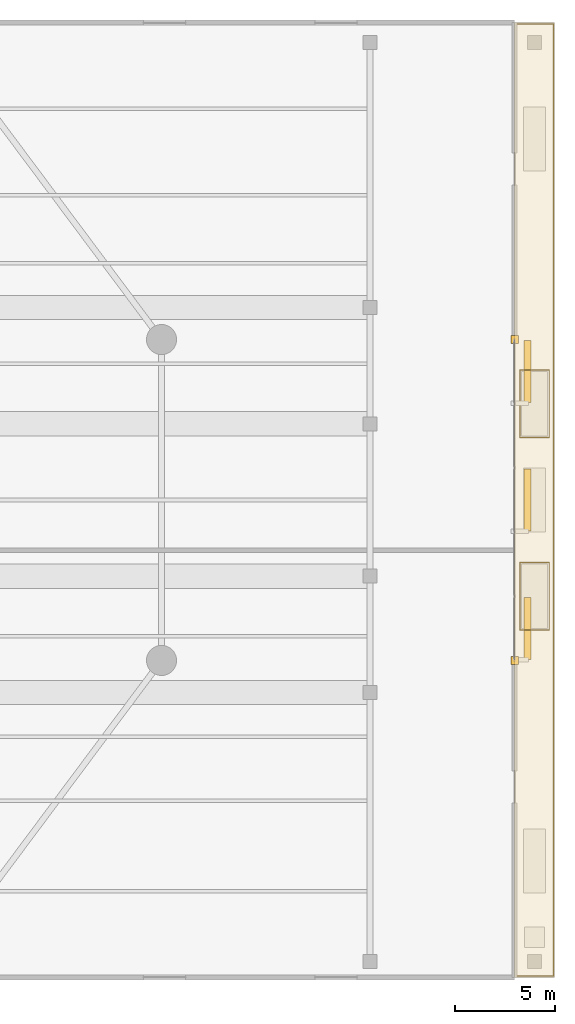
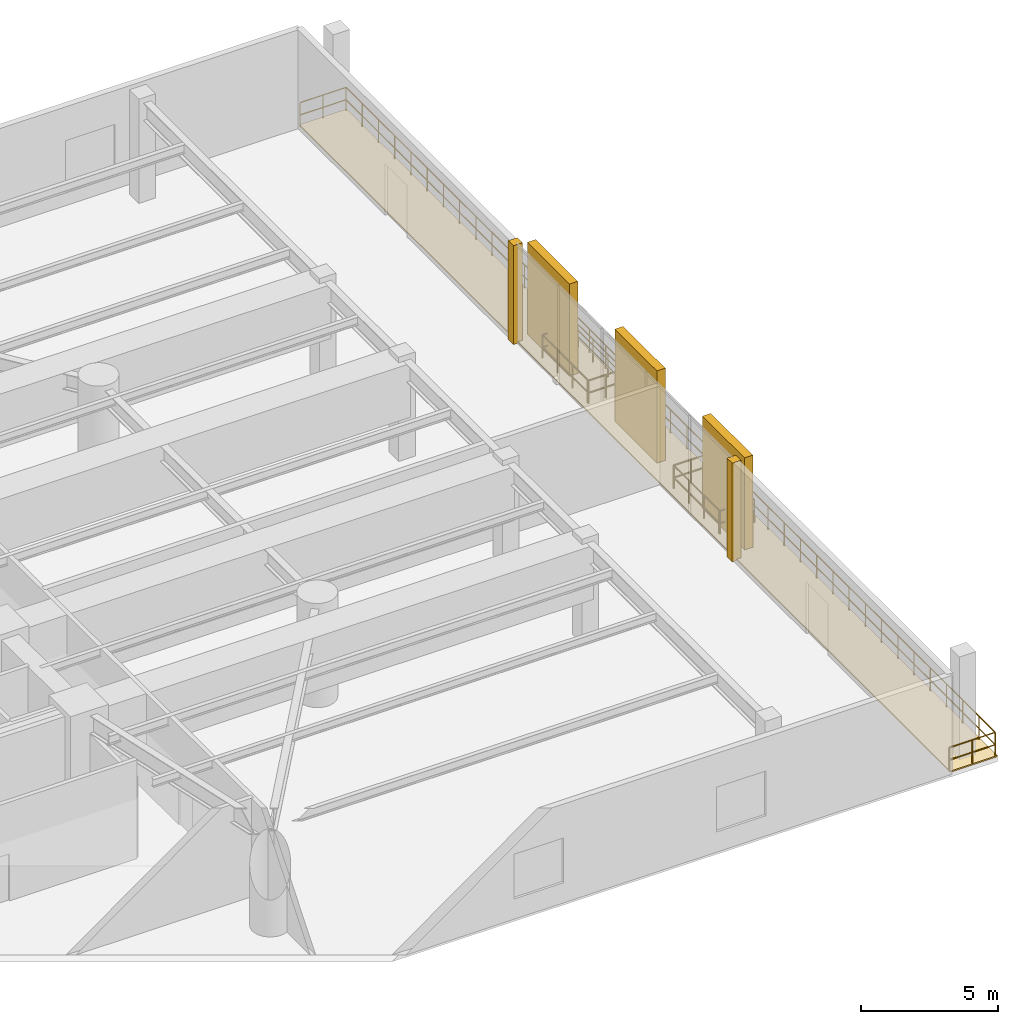
# One storey, part 11 of 11: 5 railings, 3 coverings, 3 shading devices.
"""IFC4 building model written with IfcOpenShell, lengths in metres."""

from ifc_helpers import new_model, si_unit, direction, frame, origin, origin_2d, place, context, subcontext, project, spatial, polyline, rectangle, circle, outline, extrude, material, layer, layer_set, type_object, element, save


model = new_model("IFC4")

# Units and contexts
model_context = context("Model", 3, precision=1e-05, world=origin(), true_north=direction((0.0, 1.0)))
body_context = subcontext(model_context, "Body", "Model", "MODEL_VIEW")
ifc_project = project(units=[si_unit("LENGTHUNIT", "METRE"), si_unit("AREAUNIT", "SQUARE_METRE"), si_unit("VOLUMEUNIT", "CUBIC_METRE"), si_unit("PLANEANGLEUNIT", "RADIAN"), si_unit("MASSUNIT", "GRAM", prefix="KILO")], contexts=[model_context])

# Site, building, storey
site_placement = place(None, origin())
site = spatial("IfcSite", under=ifc_project, at=site_placement, CompositionType="ELEMENT")
building_placement = place(site_placement, origin())
building = spatial("IfcBuilding", under=site, at=building_placement, Name="An Khanh Terracotta Commons", CompositionType="ELEMENT")
storey_placement = place(building_placement, frame((0.0, 0.0, 19.35009765625)))
storey = spatial("IfcBuildingStorey", under=building, at=storey_placement, Name="L05", CompositionType="ELEMENT", Elevation=19.35009765625)

# Coverings
ifc_material_1 = material(Name="Fired Terracotta Rainscreen Cladding", Category="masonry")
ifc_layer_1 = layer(ifc_material_1, 0.080078125, Name="Fired Terracotta Rainscreen Cladding")
ifc_layer_set_1 = layer_set([ifc_layer_1], Name="Fired Terracotta Rainscreen Cladding")
covering_type_1 = type_object("IfcCoveringType", Name="COV-JAMB-TERRA", PredefinedType="CLADDING", material=ifc_layer_set_1)
for number, where, z_axis, x_axis, name in (
    (1, (65.800048828125, 16.0, 0.0), (0.0, 0.0, 1.0), (1.0, 0.0, 0.0), "L05 CW-01 Curtain-Wall Jamb Closure JA"),
    (2, (65.800048828125, 32.0, 0.0), (0.0, 0.0, 1.0), (1.0, 0.0, 0.0), "L05 CW-01 Curtain-Wall Jamb Closure JB"),
):
    element("IfcCovering", number, at=place(storey_placement, frame(where, z_axis=z_axis, x_axis=x_axis)), inside=storey, type_object=covering_type_1, Name=name, PredefinedType="CLADDING", context=body_context, shape_type="SweptSolid", body=[
        extrude(rectangle(XDim=0.3798828125, YDim=0.3798828125, at=origin_2d()), origin(), (0.0, 0.0, 1.0), 4.409912109375),
    ])
ifc_material_2 = material(Name="Planted Garden Waterproofing Membrane")
ifc_layer_2 = layer(ifc_material_2, 0.080078125, Name="Planted Garden Waterproofing Membrane")
ifc_layer_set_2 = layer_set([ifc_layer_2], Name="Planted Garden Waterproofing Membrane")
covering_type_2 = type_object("IfcCoveringType", Name="COV-ROOFING-GREEN", PredefinedType="ROOFING", material=ifc_layer_set_2)
covering_placement = place(storey_placement, origin())
element("IfcCovering", 3, at=covering_placement, inside=storey, type_object=covering_type_2, Name="L05 Cascading Terrace Waterproofing and Drainage Mat", PredefinedType="ROOFING", context=body_context, shape_type="SweptSolid", body=[
    extrude(outline(polyline([(65.800048828125, 0.199951171875), (67.800048828125, 0.199951171875), (67.800048828125, 47.800048828125), (65.800048828125, 47.800048828125), (65.800048828125, 0.199951171875)])), origin(), (0.0, 0.0, 1.0), 0.059814453125),
])

# Railings
ifc_material_3 = material(Name="Brushed Stainless Steel 316", Category="steel")
railing_type = type_object("IfcRailingType", Name="RAIL-BALUSTRADE-1100", PredefinedType="BALUSTRADE", material=ifc_material_3)
railing_1_placement = place(storey_placement, frame((65.800048828125, 0.260009765625, 0.0)))
element("IfcRailing", 4, at=railing_1_placement, inside=storey, type_object=railing_type, Name="L05 Cascading Garden Terrace Balustrade", PredefinedType="BALUSTRADE", context=body_context, shape_type="SweptSolid", body=[
    extrude(circle(Radius=0.02392578125, at=origin_2d()), frame((0.0, 0.0, 1.076171875), z_axis=(1.0, 0.0, 0.0), x_axis=(0.0, 1.0, 0.0)), (0.0, 0.0, 1.0), 1.93994140625),
    extrude(circle(Radius=0.02392578125, at=origin_2d()), frame((0.0, 0.0, 0.52587890625), z_axis=(1.0, 0.0, 0.0), x_axis=(0.0, 1.0, 0.0)), (0.0, 0.0, 1.0), 1.93994140625),
    extrude(circle(Radius=0.02392578125, at=origin_2d()), frame((1.93994140625, 0.0, 1.076171875), z_axis=(0.0, 1.0, 0.0), x_axis=(-1.0, 0.0, 0.0)), (0.0, 0.0, 1.0), 47.47998046875),
    extrude(circle(Radius=0.02392578125, at=origin_2d()), frame((1.93994140625, 0.0, 0.52587890625), z_axis=(0.0, 1.0, 0.0), x_axis=(-1.0, 0.0, 0.0)), (0.0, 0.0, 1.0), 47.47998046875),
    extrude(circle(Radius=0.02392578125, at=origin_2d()), frame((1.93994140625, 47.47998046875, 1.076171875), z_axis=(-1.0, 0.0, 0.0), x_axis=(0.0, -1.0, 0.0)), (0.0, 0.0, 1.0), 1.93994140625),
    extrude(circle(Radius=0.02392578125, at=origin_2d()), frame((1.93994140625, 47.47998046875, 0.52587890625), z_axis=(-1.0, 0.0, 0.0), x_axis=(0.0, -1.0, 0.0)), (0.0, 0.0, 1.0), 1.93994140625),
    extrude(circle(Radius=0.02099609375, at=origin_2d()), origin(), (0.0, 0.0, 1.0), 1.052001953125),
    extrude(circle(Radius=0.02099609375, at=origin_2d()), frame((0.969970703125, 0.0, 0.0)), (0.0, 0.0, 1.0), 1.052001953125),
    extrude(circle(Radius=0.02099609375, at=origin_2d()), frame((1.93994140625, 0.0, 0.0)), (0.0, 0.0, 1.0), 1.052001953125),
    extrude(circle(Radius=0.02099609375, at=origin_2d()), frame((1.93994140625, 1.18701171875, 0.0)), (0.0, 0.0, 1.0), 1.052001953125),
    extrude(circle(Radius=0.02099609375, at=origin_2d()), frame((1.93994140625, 2.3740234375, 0.0)), (0.0, 0.0, 1.0), 1.052001953125),
    extrude(circle(Radius=0.02099609375, at=origin_2d()), frame((1.93994140625, 3.56103515625, 0.0)), (0.0, 0.0, 1.0), 1.052001953125),
    extrude(circle(Radius=0.02099609375, at=origin_2d()), frame((1.93994140625, 4.748046875, 0.0)), (0.0, 0.0, 1.0), 1.052001953125),
    extrude(circle(Radius=0.02099609375, at=origin_2d()), frame((1.93994140625, 5.93505859375, 0.0)), (0.0, 0.0, 1.0), 1.052001953125),
    extrude(circle(Radius=0.02099609375, at=origin_2d()), frame((1.93994140625, 7.1220703125, 0.0)), (0.0, 0.0, 1.0), 1.052001953125),
    extrude(circle(Radius=0.02099609375, at=origin_2d()), frame((1.93994140625, 8.30908203125, 0.0)), (0.0, 0.0, 1.0), 1.052001953125),
    extrude(circle(Radius=0.02099609375, at=origin_2d()), frame((1.93994140625, 9.49609375, 0.0)), (0.0, 0.0, 1.0), 1.052001953125),
    extrude(circle(Radius=0.02099609375, at=origin_2d()), frame((1.93994140625, 10.68310546875, 0.0)), (0.0, 0.0, 1.0), 1.052001953125),
    extrude(circle(Radius=0.02099609375, at=origin_2d()), frame((1.93994140625, 11.8701171875, 0.0)), (0.0, 0.0, 1.0), 1.052001953125),
    extrude(circle(Radius=0.02099609375, at=origin_2d()), frame((1.93994140625, 13.056884765625, 0.0)), (0.0, 0.0, 1.0), 1.052001953125),
    extrude(circle(Radius=0.02099609375, at=origin_2d()), frame((1.93994140625, 14.243896484375, 0.0)), (0.0, 0.0, 1.0), 1.052001953125),
    extrude(circle(Radius=0.02099609375, at=origin_2d()), frame((1.93994140625, 15.430908203125, 0.0)), (0.0, 0.0, 1.0), 1.052001953125),
    extrude(circle(Radius=0.02099609375, at=origin_2d()), frame((1.93994140625, 16.617919921875, 0.0)), (0.0, 0.0, 1.0), 1.052001953125),
    extrude(circle(Radius=0.02099609375, at=origin_2d()), frame((1.93994140625, 17.804931640625, 0.0)), (0.0, 0.0, 1.0), 1.052001953125),
    extrude(circle(Radius=0.02099609375, at=origin_2d()), frame((1.93994140625, 18.991943359375, 0.0)), (0.0, 0.0, 1.0), 1.052001953125),
    extrude(circle(Radius=0.02099609375, at=origin_2d()), frame((1.93994140625, 20.178955078125, 0.0)), (0.0, 0.0, 1.0), 1.052001953125),
    extrude(circle(Radius=0.02099609375, at=origin_2d()), frame((1.93994140625, 21.365966796875, 0.0)), (0.0, 0.0, 1.0), 1.052001953125),
    extrude(circle(Radius=0.02099609375, at=origin_2d()), frame((1.93994140625, 22.552978515625, 0.0)), (0.0, 0.0, 1.0), 1.052001953125),
    extrude(circle(Radius=0.02099609375, at=origin_2d()), frame((1.93994140625, 23.739990234375, 0.0)), (0.0, 0.0, 1.0), 1.052001953125),
    extrude(circle(Radius=0.02099609375, at=origin_2d()), frame((1.93994140625, 24.927001953125, 0.0)), (0.0, 0.0, 1.0), 1.052001953125),
    extrude(circle(Radius=0.02099609375, at=origin_2d()), frame((1.93994140625, 26.114013671875, 0.0)), (0.0, 0.0, 1.0), 1.052001953125),
    extrude(circle(Radius=0.02099609375, at=origin_2d()), frame((1.93994140625, 27.301025390625, 0.0)), (0.0, 0.0, 1.0), 1.052001953125),
    extrude(circle(Radius=0.02099609375, at=origin_2d()), frame((1.93994140625, 28.488037109375, 0.0)), (0.0, 0.0, 1.0), 1.052001953125),
    extrude(circle(Radius=0.02099609375, at=origin_2d()), frame((1.93994140625, 29.675048828125, 0.0)), (0.0, 0.0, 1.0), 1.052001953125),
    extrude(circle(Radius=0.02099609375, at=origin_2d()), frame((1.93994140625, 30.862060546875, 0.0)), (0.0, 0.0, 1.0), 1.052001953125),
    extrude(circle(Radius=0.02099609375, at=origin_2d()), frame((1.93994140625, 32.049072265625, 0.0)), (0.0, 0.0, 1.0), 1.052001953125),
    extrude(circle(Radius=0.02099609375, at=origin_2d()), frame((1.93994140625, 33.236083984375, 0.0)), (0.0, 0.0, 1.0), 1.052001953125),
    extrude(circle(Radius=0.02099609375, at=origin_2d()), frame((1.93994140625, 34.423095703125, 0.0)), (0.0, 0.0, 1.0), 1.052001953125),
    extrude(circle(Radius=0.02099609375, at=origin_2d()), frame((1.93994140625, 35.60986328125, 0.0)), (0.0, 0.0, 1.0), 1.052001953125),
    extrude(circle(Radius=0.02099609375, at=origin_2d()), frame((1.93994140625, 36.796875, 0.0)), (0.0, 0.0, 1.0), 1.052001953125),
    extrude(circle(Radius=0.02099609375, at=origin_2d()), frame((1.93994140625, 37.98388671875, 0.0)), (0.0, 0.0, 1.0), 1.052001953125),
    extrude(circle(Radius=0.02099609375, at=origin_2d()), frame((1.93994140625, 39.1708984375, 0.0)), (0.0, 0.0, 1.0), 1.052001953125),
    extrude(circle(Radius=0.02099609375, at=origin_2d()), frame((1.93994140625, 40.35791015625, 0.0)), (0.0, 0.0, 1.0), 1.052001953125),
    extrude(circle(Radius=0.02099609375, at=origin_2d()), frame((1.93994140625, 41.544921875, 0.0)), (0.0, 0.0, 1.0), 1.052001953125),
    extrude(circle(Radius=0.02099609375, at=origin_2d()), frame((1.93994140625, 42.73193359375, 0.0)), (0.0, 0.0, 1.0), 1.052001953125),
    extrude(circle(Radius=0.02099609375, at=origin_2d()), frame((1.93994140625, 43.9189453125, 0.0)), (0.0, 0.0, 1.0), 1.052001953125),
    extrude(circle(Radius=0.02099609375, at=origin_2d()), frame((1.93994140625, 45.10595703125, 0.0)), (0.0, 0.0, 1.0), 1.052001953125),
    extrude(circle(Radius=0.02099609375, at=origin_2d()), frame((1.93994140625, 46.29296875, 0.0)), (0.0, 0.0, 1.0), 1.052001953125),
    extrude(circle(Radius=0.02099609375, at=origin_2d()), frame((1.93994140625, 47.47998046875, 0.0)), (0.0, 0.0, 1.0), 1.052001953125),
    extrude(circle(Radius=0.02099609375, at=origin_2d()), frame((0.969970703125, 47.47998046875, 0.0)), (0.0, 0.0, 1.0), 1.052001953125),
    extrude(circle(Radius=0.02099609375, at=origin_2d()), frame((0.0, 47.47998046875, 0.0)), (0.0, 0.0, 1.0), 1.052001953125),
])
railing_2_placement = place(storey_placement, frame((66.070068359375, 17.52001953125, 0.0)))
element("IfcRailing", 5, at=railing_2_placement, inside=storey, type_object=railing_type, Name="L05 Terrace Skylight Guard 1A", PredefinedType="BALUSTRADE", context=body_context, shape_type="SweptSolid", body=[
    extrude(circle(Radius=0.02392578125, at=origin_2d()), frame((0.0, 0.0, 1.076171875), z_axis=(1.0, 0.0, 0.0), x_axis=(0.0, 1.0, 0.0)), (0.0, 0.0, 1.0), 1.4599609375),
    extrude(circle(Radius=0.02392578125, at=origin_2d()), frame((0.0, 0.0, 0.52587890625), z_axis=(1.0, 0.0, 0.0), x_axis=(0.0, 1.0, 0.0)), (0.0, 0.0, 1.0), 1.4599609375),
    extrude(circle(Radius=0.02392578125, at=origin_2d()), frame((1.4599609375, 0.0, 1.076171875), z_axis=(0.0, 1.0, 0.0), x_axis=(-1.0, 0.0, 0.0)), (0.0, 0.0, 1.0), 3.31005859375),
    extrude(circle(Radius=0.02392578125, at=origin_2d()), frame((1.4599609375, 0.0, 0.52587890625), z_axis=(0.0, 1.0, 0.0), x_axis=(-1.0, 0.0, 0.0)), (0.0, 0.0, 1.0), 3.31005859375),
    extrude(circle(Radius=0.02099609375, at=origin_2d()), origin(), (0.0, 0.0, 1.0), 1.052001953125),
    extrude(circle(Radius=0.02099609375, at=origin_2d()), frame((0.72998046875, 0.0, 0.0)), (0.0, 0.0, 1.0), 1.052001953125),
    extrude(circle(Radius=0.02099609375, at=origin_2d()), frame((1.4599609375, 0.0, 0.0)), (0.0, 0.0, 1.0), 1.052001953125),
    extrude(circle(Radius=0.02099609375, at=origin_2d()), frame((1.4599609375, 1.103271484375, 0.0)), (0.0, 0.0, 1.0), 1.052001953125),
    extrude(circle(Radius=0.02099609375, at=origin_2d()), frame((1.4599609375, 2.206787109375, 0.0)), (0.0, 0.0, 1.0), 1.052001953125),
    extrude(circle(Radius=0.02099609375, at=origin_2d()), frame((1.4599609375, 3.31005859375, 0.0)), (0.0, 0.0, 1.0), 1.052001953125),
])
railing_3_placement = place(storey_placement, frame((67.530029296875, 20.8798828125, 0.0)))
element("IfcRailing", 6, at=railing_3_placement, inside=storey, type_object=railing_type, Name="L05 Terrace Skylight Guard 1B", PredefinedType="BALUSTRADE", context=body_context, shape_type="SweptSolid", body=[
    extrude(circle(Radius=0.02392578125, at=origin_2d()), frame((0.0, 0.0, 1.076171875), z_axis=(-1.0, 0.0, 0.0), x_axis=(0.0, -1.0, 0.0)), (0.0, 0.0, 1.0), 1.4599609375),
    extrude(circle(Radius=0.02392578125, at=origin_2d()), frame((0.0, 0.0, 0.52587890625), z_axis=(-1.0, 0.0, 0.0), x_axis=(0.0, -1.0, 0.0)), (0.0, 0.0, 1.0), 1.4599609375),
    extrude(circle(Radius=0.02392578125, at=origin_2d()), frame((-1.4599609375, 0.0, 1.076171875), z_axis=(0.0, -1.0, 0.0), x_axis=(1.0, 0.0, 0.0)), (0.0, 0.0, 1.0), 3.309814453125),
    extrude(circle(Radius=0.02392578125, at=origin_2d()), frame((-1.4599609375, 0.0, 0.52587890625), z_axis=(0.0, -1.0, 0.0), x_axis=(1.0, 0.0, 0.0)), (0.0, 0.0, 1.0), 3.309814453125),
    extrude(circle(Radius=0.02099609375, at=origin_2d()), origin(), (0.0, 0.0, 1.0), 1.052001953125),
    extrude(circle(Radius=0.02099609375, at=origin_2d()), frame((-0.72998046875, 0.0, 0.0)), (0.0, 0.0, 1.0), 1.052001953125),
    extrude(circle(Radius=0.02099609375, at=origin_2d()), frame((-1.4599609375, 0.0, 0.0)), (0.0, 0.0, 1.0), 1.052001953125),
    extrude(circle(Radius=0.02099609375, at=origin_2d()), frame((-1.4599609375, -1.103271484375, 0.0)), (0.0, 0.0, 1.0), 1.052001953125),
    extrude(circle(Radius=0.02099609375, at=origin_2d()), frame((-1.4599609375, -2.20654296875, 0.0)), (0.0, 0.0, 1.0), 1.052001953125),
    extrude(circle(Radius=0.02099609375, at=origin_2d()), frame((-1.4599609375, -3.309814453125, 0.0)), (0.0, 0.0, 1.0), 1.052001953125),
])
railing_4_placement = place(storey_placement, frame((66.070068359375, 27.1201171875, 0.0)))
element("IfcRailing", 7, at=railing_4_placement, inside=storey, type_object=railing_type, Name="L05 Terrace Skylight Guard 2A", PredefinedType="BALUSTRADE", context=body_context, shape_type="SweptSolid", body=[
    extrude(circle(Radius=0.02392578125, at=origin_2d()), frame((0.0, 0.0, 1.076171875), z_axis=(1.0, 0.0, 0.0), x_axis=(0.0, 1.0, 0.0)), (0.0, 0.0, 1.0), 1.4599609375),
    extrude(circle(Radius=0.02392578125, at=origin_2d()), frame((0.0, 0.0, 0.52587890625), z_axis=(1.0, 0.0, 0.0), x_axis=(0.0, 1.0, 0.0)), (0.0, 0.0, 1.0), 1.4599609375),
    extrude(circle(Radius=0.02392578125, at=origin_2d()), frame((1.4599609375, 0.0, 1.076171875), z_axis=(0.0, 1.0, 0.0), x_axis=(-1.0, 0.0, 0.0)), (0.0, 0.0, 1.0), 3.309814453125),
    extrude(circle(Radius=0.02392578125, at=origin_2d()), frame((1.4599609375, 0.0, 0.52587890625), z_axis=(0.0, 1.0, 0.0), x_axis=(-1.0, 0.0, 0.0)), (0.0, 0.0, 1.0), 3.309814453125),
    extrude(circle(Radius=0.02099609375, at=origin_2d()), origin(), (0.0, 0.0, 1.0), 1.052001953125),
    extrude(circle(Radius=0.02099609375, at=origin_2d()), frame((0.72998046875, 0.0, 0.0)), (0.0, 0.0, 1.0), 1.052001953125),
    extrude(circle(Radius=0.02099609375, at=origin_2d()), frame((1.4599609375, 0.0, 0.0)), (0.0, 0.0, 1.0), 1.052001953125),
    extrude(circle(Radius=0.02099609375, at=origin_2d()), frame((1.4599609375, 1.103271484375, 0.0)), (0.0, 0.0, 1.0), 1.052001953125),
    extrude(circle(Radius=0.02099609375, at=origin_2d()), frame((1.4599609375, 2.20654296875, 0.0)), (0.0, 0.0, 1.0), 1.052001953125),
    extrude(circle(Radius=0.02099609375, at=origin_2d()), frame((1.4599609375, 3.309814453125, 0.0)), (0.0, 0.0, 1.0), 1.052001953125),
])
railing_5_placement = place(storey_placement, frame((67.530029296875, 30.47998046875, 0.0)))
element("IfcRailing", 8, at=railing_5_placement, inside=storey, type_object=railing_type, Name="L05 Terrace Skylight Guard 2B", PredefinedType="BALUSTRADE", context=body_context, shape_type="SweptSolid", body=[
    extrude(circle(Radius=0.02392578125, at=origin_2d()), frame((0.0, 0.0, 1.076171875), z_axis=(-1.0, 0.0, 0.0), x_axis=(0.0, -1.0, 0.0)), (0.0, 0.0, 1.0), 1.4599609375),
    extrude(circle(Radius=0.02392578125, at=origin_2d()), frame((0.0, 0.0, 0.52587890625), z_axis=(-1.0, 0.0, 0.0), x_axis=(0.0, -1.0, 0.0)), (0.0, 0.0, 1.0), 1.4599609375),
    extrude(circle(Radius=0.02392578125, at=origin_2d()), frame((-1.4599609375, 0.0, 1.076171875), z_axis=(0.0, -1.0, 0.0), x_axis=(1.0, 0.0, 0.0)), (0.0, 0.0, 1.0), 3.31005859375),
    extrude(circle(Radius=0.02392578125, at=origin_2d()), frame((-1.4599609375, 0.0, 0.52587890625), z_axis=(0.0, -1.0, 0.0), x_axis=(1.0, 0.0, 0.0)), (0.0, 0.0, 1.0), 3.31005859375),
    extrude(circle(Radius=0.02099609375, at=origin_2d()), origin(), (0.0, 0.0, 1.0), 1.052001953125),
    extrude(circle(Radius=0.02099609375, at=origin_2d()), frame((-0.72998046875, 0.0, 0.0)), (0.0, 0.0, 1.0), 1.052001953125),
    extrude(circle(Radius=0.02099609375, at=origin_2d()), frame((-1.4599609375, 0.0, 0.0)), (0.0, 0.0, 1.0), 1.052001953125),
    extrude(circle(Radius=0.02099609375, at=origin_2d()), frame((-1.4599609375, -1.103271484375, 0.0)), (0.0, 0.0, 1.0), 1.052001953125),
    extrude(circle(Radius=0.02099609375, at=origin_2d()), frame((-1.4599609375, -2.206787109375, 0.0)), (0.0, 0.0, 1.0), 1.052001953125),
    extrude(circle(Radius=0.02099609375, at=origin_2d()), frame((-1.4599609375, -3.31005859375, 0.0)), (0.0, 0.0, 1.0), 1.052001953125),
])

# Shading devices
ifc_material_4 = material(Name="Extruded Fired Terracotta", Category="masonry")
shading_device_type = type_object("IfcShadingDeviceType", Name="Terracotta Baguette Screen Assembly", PredefinedType="USERDEFINED", material=ifc_material_4)
for number, where, z_axis, x_axis, name in (
    (9, (66.449951171875, 17.60009765625, 0.14990234375), (0.0, 0.0, 1.0), (0.0, 1.0, 0.0), "L05 Terracotta Baguette Screen 1"),
    (10, (66.449951171875, 24.0, 0.14990234375), (0.0, 0.0, 1.0), (0.0, 1.0, 0.0), "L05 Terracotta Baguette Screen 3"),
    (11, (66.449951171875, 30.39990234375, 0.14990234375), (0.0, 0.0, 1.0), (0.0, 1.0, 0.0), "L05 Terracotta Baguette Screen 5"),
):
    element("IfcShadingDevice", number, at=place(storey_placement, frame(where, z_axis=z_axis, x_axis=x_axis)), inside=storey, type_object=shading_device_type, Name=name, ObjectType="BAGUETTE", PredefinedType="USERDEFINED", context=body_context, shape_type="SweptSolid", body=[
        extrude(rectangle(XDim=3.080078125, YDim=0.35009765625, at=origin_2d()), origin(), (0.0, 0.0, 1.0), 4.110107421875),
    ])

save(model, "model.ifc")
